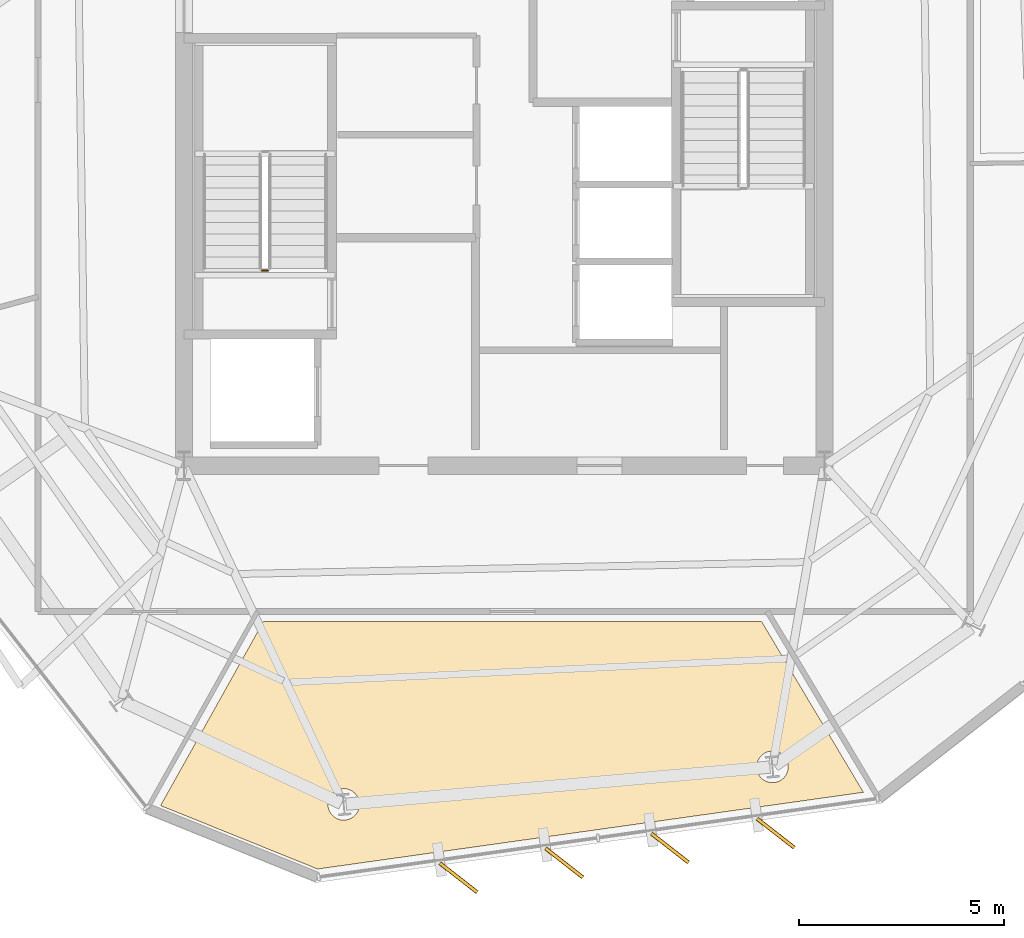
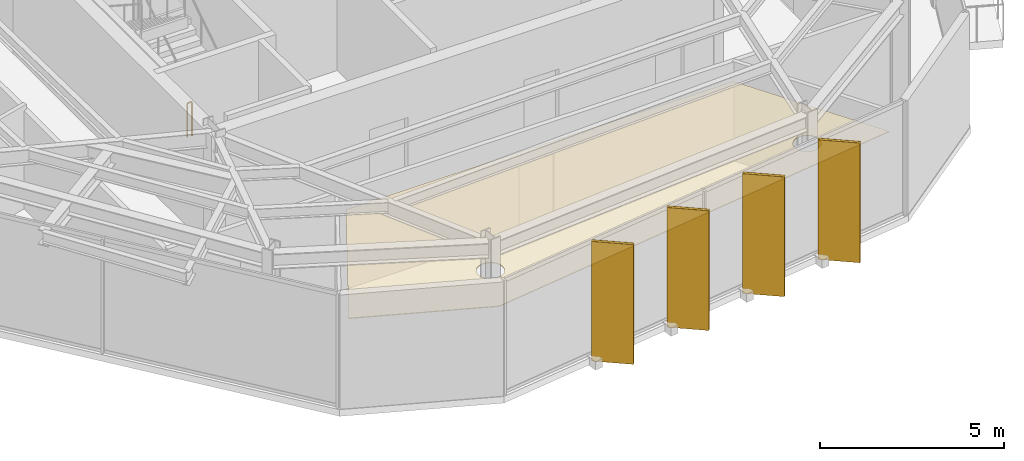
# One storey, part 9 of 11: 5 coverings, 4 shading devices, 1 railing.
"""IFC4 building model written with IfcOpenShell, lengths in metres."""

from ifc_helpers import new_model, si_unit, direction, frame, origin, origin_2d, place, context, subcontext, project, spatial, polyline, rectangle, circle, outline, extrude, material, layer, layer_set, type_object, element, save


model = new_model("IFC4")

# Units and contexts
model_context = context("Model", 3, precision=1e-05, world=origin(), true_north=direction((0.0, 1.0)))
body_context = subcontext(model_context, "Body", "Model", "MODEL_VIEW")
ifc_project = project(units=[si_unit("LENGTHUNIT", "METRE"), si_unit("AREAUNIT", "SQUARE_METRE"), si_unit("VOLUMEUNIT", "CUBIC_METRE"), si_unit("PLANEANGLEUNIT", "RADIAN"), si_unit("MASSUNIT", "GRAM", prefix="KILO")], contexts=[model_context])

# Site, building, storey
site_placement = place(None, origin())
site = spatial("IfcSite", under=ifc_project, at=site_placement, CompositionType="ELEMENT")
building_placement = place(site_placement, origin())
building = spatial("IfcBuilding", under=site, at=building_placement, Name="Kranzbogen Civic Tower", CompositionType="ELEMENT")
storey_placement = place(building_placement, frame((0.0, 0.0, 298.199951171875)))
storey = spatial("IfcBuildingStorey", under=building, at=storey_placement, Name="L72", CompositionType="ELEMENT", Elevation=298.199951171875)

# Coverings
ifc_material_1 = material(Name="Pale Anodised Aluminium", Category="aluminium")
ifc_layer_1 = layer(ifc_material_1, 0.02490234375, Name="Pale Anodised Aluminium")
ifc_layer_set_1 = layer_set([ifc_layer_1], Name="Pale Anodised Aluminium")
covering_type_1 = type_object("IfcCoveringType", Name="Anodised Aluminium Vertical Fin Cladding 25 mm", PredefinedType="CLADDING", material=ifc_layer_set_1)
for number, where, z_axis, x_axis, name in (
    (1, (23.887939453125, 7.763916015625, -0.139892578125), (0.0, 0.0, 1.0), (0.788601383043, -0.614904755765, 0.0), "L72 vertical fin pale-metal cladding F4-1"),
    (2, (26.462890625, 8.1259765625, -0.139892578125), (0.0, 0.0, 1.0), (0.788601383043, -0.614904755765, 0.0), "L72 vertical fin pale-metal cladding F4-2"),
    (3, (29.037109375, 8.488037109375, -0.139892578125), (0.0, 0.0, 1.0), (0.788601383043, -0.614904755765, 0.0), "L72 vertical fin pale-metal cladding F4-3"),
    (4, (31.612060546875, 8.85009765625, -0.139892578125), (0.0, 0.0, 1.0), (0.788601383043, -0.614904755765, 0.0), "L72 vertical fin pale-metal cladding F4-4"),
):
    element("IfcCovering", number, at=place(storey_placement, frame(where, z_axis=z_axis, x_axis=x_axis)), inside=storey, type_object=covering_type_1, Name=name, PredefinedType="CLADDING", context=body_context, shape_type="SweptSolid", body=[
        extrude(rectangle(XDim=1.14990234375, YDim=0.094970703125, at=origin_2d()), origin(), (0.0, 0.0, 1.0), 3.9599609375),
    ])

# Railing
ifc_material_2 = material(Name="Steel S355", Category="steel")
railing_type = type_object("IfcRailingType", Name="Internal Stair and Void Steel Guardrail 1150", PredefinedType="GUARDRAIL", material=ifc_material_2)
railing_placement = place(storey_placement, frame((19.25, 22.550048828125, 0.0)))
element("IfcRailing", 5, at=railing_placement, inside=storey, type_object=railing_type, Name="L72 ST-T1 stair guard 4", PredefinedType="GUARDRAIL", context=body_context, shape_type="SweptSolid", body=[
    extrude(circle(Radius=0.02392578125, at=origin_2d()), frame((0.0, 0.0, 1.1259765625), z_axis=(-1.0, 0.0, 0.0), x_axis=(0.0, -1.0, 0.0)), (0.0, 0.0, 1.0), 0.14990234375),
    extrude(circle(Radius=0.02099609375, at=origin_2d()), origin(), (0.0, 0.0, 1.0), 1.101806640625),
    extrude(circle(Radius=0.02099609375, at=origin_2d()), frame((-0.14990234375, 0.0, 0.0)), (0.0, 0.0, 1.0), 1.101806640625),
])

# Shading devices
shading_device_type = type_object("IfcShadingDeviceType", Name="Pale Anodised Aluminium Crown Fin 1150x75", PredefinedType="USERDEFINED", material=ifc_material_1)
for number, where, z_axis, x_axis, name in (
    (6, (23.887939453125, 7.763916015625, -0.139892578125), (0.0, 0.0, 1.0), (0.788601383043, -0.614904755765, 0.0), "L72 vertical exterior shading fin F4-1"),
    (7, (26.462890625, 8.1259765625, -0.139892578125), (0.0, 0.0, 1.0), (0.788601383043, -0.614904755765, 0.0), "L72 vertical exterior shading fin F4-2"),
    (8, (29.037109375, 8.488037109375, -0.139892578125), (0.0, 0.0, 1.0), (0.788601383043, -0.614904755765, 0.0), "L72 vertical exterior shading fin F4-3"),
    (9, (31.612060546875, 8.85009765625, -0.139892578125), (0.0, 0.0, 1.0), (0.788601383043, -0.614904755765, 0.0), "L72 vertical exterior shading fin F4-4"),
):
    element("IfcShadingDevice", number, at=place(storey_placement, frame(where, z_axis=z_axis, x_axis=x_axis)), inside=storey, type_object=shading_device_type, Name=name, ObjectType="FIN", PredefinedType="USERDEFINED", context=body_context, shape_type="SweptSolid", body=[
        extrude(rectangle(XDim=1.14990234375, YDim=0.074951171875, at=origin_2d()), origin(), (0.0, 0.0, 1.0), 3.9599609375),
    ])

# Covering
ifc_material_3 = material(Name="Perforated Acoustic Gypsum Ceiling")
ifc_layer_2 = layer(ifc_material_3, 0.02490234375, Name="Perforated Acoustic Gypsum Ceiling")
ifc_layer_set_2 = layer_set([ifc_layer_2], Name="Perforated Acoustic Gypsum Ceiling")
covering_type_2 = type_object("IfcCoveringType", Name="Perforated Acoustic Mineral Ceiling Tile 25 mm", PredefinedType="CEILING", material=ifc_layer_set_2)
covering_placement = place(storey_placement, frame((0.0, 0.0, 2.75)))
element("IfcCovering", 10, at=covering_placement, inside=storey, type_object=covering_type_2, Name="L72 Visitor Concierge Foyer acoustic ceiling", PredefinedType="CEILING", context=body_context, shape_type="SweptSolid", body=[
    extrude(outline(polyline([(16.631103515625, 9.52197265625), (19.135986328125, 14.0048828125), (31.26904296875, 14.0048828125), (33.7490234375, 9.844970703125), (20.455078125, 7.97705078125), (16.631103515625, 9.52197265625)]), holes=[polyline([(21.445068359375, 9.403076171875), (21.428955078125, 9.368896484375), (21.409912109375, 9.3369140625), (21.386962890625, 9.306884765625), (21.362060546875, 9.279052734375), (21.333984375, 9.25390625), (21.303955078125, 9.23095703125), (21.27197265625, 9.2119140625), (21.238037109375, 9.196044921875), (21.201904296875, 9.18310546875), (21.166015625, 9.174072265625), (21.12890625, 9.16796875), (21.091064453125, 9.1669921875), (21.052978515625, 9.16796875), (21.01611328125, 9.174072265625), (20.97998046875, 9.18310546875), (20.944091796875, 9.196044921875), (20.909912109375, 9.2119140625), (20.8779296875, 9.23095703125), (20.847900390625, 9.25390625), (20.820068359375, 9.279052734375), (20.794921875, 9.306884765625), (20.77197265625, 9.3369140625), (20.7529296875, 9.368896484375), (20.737060546875, 9.403076171875), (20.72412109375, 9.43896484375), (20.715087890625, 9.47509765625), (20.708984375, 9.511962890625), (20.7080078125, 9.550048828125), (20.708984375, 9.587890625), (20.715087890625, 9.625), (20.72412109375, 9.660888671875), (20.737060546875, 9.697021484375), (20.7529296875, 9.73095703125), (20.77197265625, 9.762939453125), (20.794921875, 9.79296875), (20.820068359375, 9.821044921875), (20.847900390625, 9.845947265625), (20.8779296875, 9.868896484375), (20.909912109375, 9.887939453125), (20.944091796875, 9.904052734375), (20.97998046875, 9.9169921875), (21.01611328125, 9.926025390625), (21.052978515625, 9.931884765625), (21.091064453125, 9.93310546875), (21.12890625, 9.931884765625), (21.166015625, 9.926025390625), (21.201904296875, 9.9169921875), (21.238037109375, 9.904052734375), (21.27197265625, 9.887939453125), (21.303955078125, 9.868896484375), (21.333984375, 9.845947265625), (21.362060546875, 9.821044921875), (21.386962890625, 9.79296875), (21.409912109375, 9.762939453125), (21.428955078125, 9.73095703125), (21.445068359375, 9.697021484375), (21.4580078125, 9.660888671875), (21.467041015625, 9.625), (21.472900390625, 9.587890625), (21.47412109375, 9.550048828125), (21.472900390625, 9.511962890625), (21.467041015625, 9.47509765625), (21.4580078125, 9.43896484375), (21.445068359375, 9.403076171875)]), polyline([(31.886962890625, 10.31689453125), (31.87109375, 10.282958984375), (31.85205078125, 10.2509765625), (31.8291015625, 10.220947265625), (31.803955078125, 10.193115234375), (31.77587890625, 10.16796875), (31.74609375, 10.14501953125), (31.714111328125, 10.1259765625), (31.679931640625, 10.110107421875), (31.64404296875, 10.096923828125), (31.60791015625, 10.087890625), (31.571044921875, 10.08203125), (31.532958984375, 10.0810546875), (31.4951171875, 10.08203125), (31.4580078125, 10.087890625), (31.422119140625, 10.096923828125), (31.385986328125, 10.110107421875), (31.35205078125, 10.1259765625), (31.320068359375, 10.14501953125), (31.2900390625, 10.16796875), (31.261962890625, 10.193115234375), (31.237060546875, 10.220947265625), (31.214111328125, 10.2509765625), (31.195068359375, 10.282958984375), (31.178955078125, 10.31689453125), (31.166015625, 10.35302734375), (31.156982421875, 10.388916015625), (31.15087890625, 10.426025390625), (31.14990234375, 10.464111328125), (31.15087890625, 10.501953125), (31.156982421875, 10.5390625), (31.166015625, 10.574951171875), (31.178955078125, 10.611083984375), (31.195068359375, 10.64501953125), (31.214111328125, 10.677001953125), (31.237060546875, 10.70703125), (31.261962890625, 10.735107421875), (31.2900390625, 10.760009765625), (31.320068359375, 10.782958984375), (31.35205078125, 10.802001953125), (31.385986328125, 10.818115234375), (31.422119140625, 10.8310546875), (31.4580078125, 10.840087890625), (31.4951171875, 10.845947265625), (31.532958984375, 10.846923828125), (31.571044921875, 10.845947265625), (31.60791015625, 10.840087890625), (31.64404296875, 10.8310546875), (31.679931640625, 10.818115234375), (31.714111328125, 10.802001953125), (31.74609375, 10.782958984375), (31.77587890625, 10.760009765625), (31.803955078125, 10.735107421875), (31.8291015625, 10.70703125), (31.85205078125, 10.677001953125), (31.87109375, 10.64501953125), (31.886962890625, 10.611083984375), (31.89990234375, 10.574951171875), (31.908935546875, 10.5390625), (31.9150390625, 10.501953125), (31.916015625, 10.464111328125), (31.9150390625, 10.426025390625), (31.908935546875, 10.388916015625), (31.89990234375, 10.35302734375), (31.886962890625, 10.31689453125)])]), origin(), (0.0, 0.0, 1.0), 0.025146484375),
])

save(model, "model.ifc")
